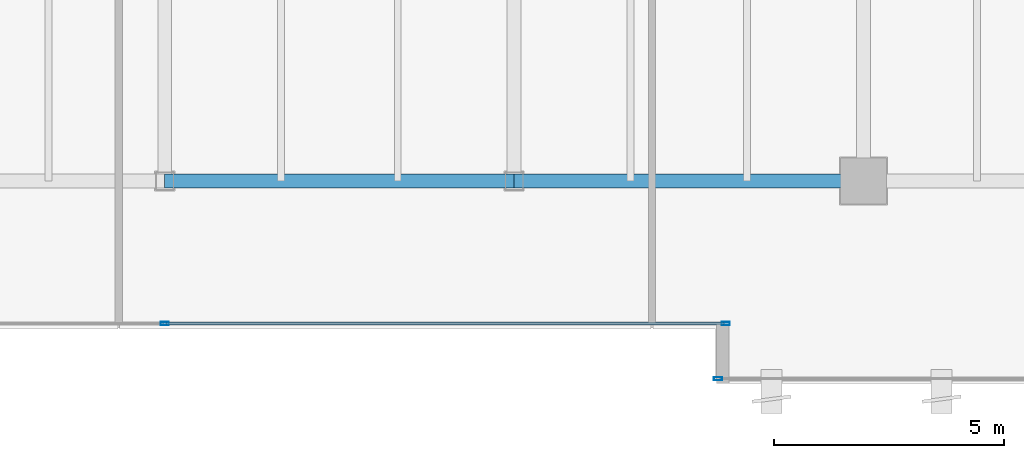
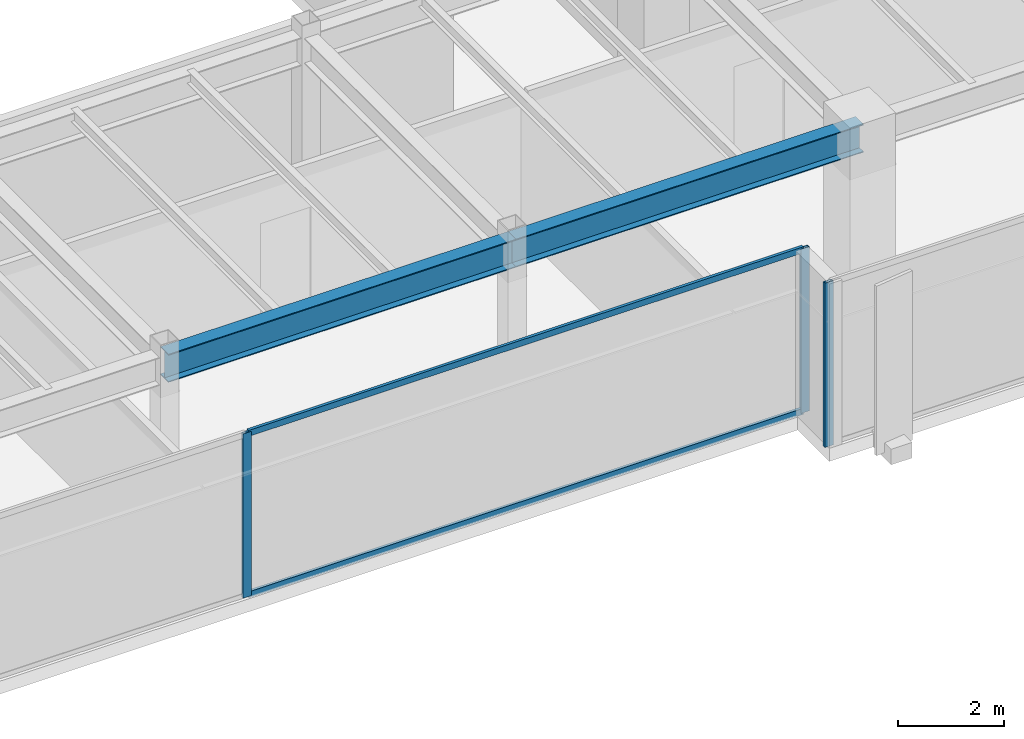
# One storey, part 11 of 36: 5 members, 2 beams, 2 elements without a shape of their own.
"""IFC4 building model written with IfcOpenShell, lengths in metres."""

from ifc_helpers import new_model, si_unit, direction, frame, origin, origin_2d, place, context, subcontext, project, spatial, hollow_rectangle, i_section, extrude, source, transform, mapped, material, layer, layer_set, material_profile, profile_set, type_object, type_shapes, element, aggregate, save


model = new_model("IFC4")

# Units and contexts
model_context = context("Model", 3, precision=1e-05, world=origin(), true_north=direction((0.0, 1.0)))
body_context = subcontext(model_context, "Body", "Model", "MODEL_VIEW")
ifc_project = project(units=[si_unit("LENGTHUNIT", "METRE"), si_unit("AREAUNIT", "SQUARE_METRE"), si_unit("VOLUMEUNIT", "CUBIC_METRE"), si_unit("PLANEANGLEUNIT", "RADIAN"), si_unit("MASSUNIT", "GRAM", prefix="KILO")], contexts=[model_context])

# Site, building, storey
site_placement = place(None, origin())
site = spatial("IfcSite", under=ifc_project, at=site_placement, CompositionType="ELEMENT")
building_placement = place(site_placement, origin())
building = spatial("IfcBuilding", under=site, at=building_placement, Name="Haelvirn Gate Laboratories", CompositionType="ELEMENT")
storey_placement = place(building_placement, frame((0.0, 0.0, 242.39990234375)))
storey = spatial("IfcBuildingStorey", under=building, at=storey_placement, Name="L58", CompositionType="ELEMENT", Elevation=242.39990234375)

# Beams
ifc_material_1 = material(Name="Steel SM355", Category="steel")
ifc_material_profile_1 = material_profile(ifc_material_1, i_section(OverallWidth=0.300048828125, OverallDepth=0.64990234375, WebThickness=0.012939453125, FlangeThickness=0.02197265625, at=origin_2d()), Name="H-650x300x13x22")
ifc_profile_set_1 = profile_set([ifc_material_profile_1], Name="Steel SM355")
beam_type = type_object("IfcBeamType", Name="BM-G-650", PredefinedType="BEAM", material=ifc_profile_set_1)
shared_shape_1 = source(origin(), body_context, "Body", "SweptSolid", [
    extrude(i_section(OverallWidth=0.300048828125, OverallDepth=0.64990234375, WebThickness=0.012939453125, FlangeThickness=0.02197265625, at=origin_2d()), origin(), (0.0, 0.0, 1.0), 7.60009765625),
])
type_shapes(beam_type, [shared_shape_1])
for number, where, z_axis, x_axis, name in (
    (1, (37.39990234375, 7.0, 3.47509765625), (1.0, 0.0, 0.0), (0.0, 1.0, 0.0), "L58 Primary Girder Y7.0 (37.4-45.0)"),
    (2, (45.0, 7.0, 3.47509765625), (1.0, 0.0, 0.0), (0.0, 1.0, 0.0), "L58 Primary Girder Y7.0 (45.0-52.6)"),
):
    element("IfcBeam", number, at=place(storey_placement, frame(where, z_axis=z_axis, x_axis=x_axis)), inside=storey, type_object=beam_type, Name=name, PredefinedType="BEAM", context=body_context, shape_type="MappedRepresentation", body=[
        mapped(shared_shape_1, transform((0.0, 0.0, 0.0), scale=1.0)),
    ])

# Curtain wall, members
ifc_material_2 = material(Name="Anodised bronze unitised aluminium & triple low-E glass", Category="aluminium")
ifc_layer = layer(ifc_material_2, 0.176025390625, Name="CW-SYS-4")
ifc_layer_set = layer_set([ifc_layer], Name="Anodised bronze unitised aluminium & triple low-E glass")
curtain_wall_type = type_object("IfcCurtainWallType", Name="CW-SYS-4", PredefinedType="NOTDEFINED", material=ifc_layer_set)
curtain_wall_1_placement = place(storey_placement, origin())
curtain_wall_1 = element("IfcCurtainWall", 3, at=curtain_wall_1_placement, inside=storey, type_object=curtain_wall_type, Name="L58 Unitised Curtain Wall CW-L58-P0-E02-1", PredefinedType="NOTDEFINED")
ifc_material_3 = material(Name="Extruded aluminium 6063-T6 (anodised bronze)", Category="aluminium")
ifc_material_profile_2 = material_profile(ifc_material_3, hollow_rectangle(XDim=0.06494140625, YDim=0.139892578125, WallThickness=0.00390625, at=origin_2d()), Name="CWT-140x65x4")
ifc_profile_set_2 = profile_set([ifc_material_profile_2], Name="Extruded aluminium 6063-T6 (anodised bronze)")
member_type_1 = type_object("IfcMemberType", Name="CWT-T140", PredefinedType="USERDEFINED", material=ifc_profile_set_2)
shared_shape_2 = source(origin(), body_context, "Body", "SweptSolid", [
    extrude(hollow_rectangle(XDim=0.06494140625, YDim=0.139892578125, WallThickness=0.00390625, at=origin_2d()), origin(), (0.0, 0.0, 1.0), 12.135009765625),
])
type_shapes(member_type_1, [shared_shape_2])
member_1_placement = place(storey_placement, frame((37.43505859375, 3.89990234375, 0.03271484375), z_axis=(1.0, 0.0, 0.0), x_axis=(0.0, 1.0, 0.0)))
member_1 = element("IfcMember", 4, at=member_1_placement, type_object=member_type_1, Name="CW4 transom 2.1", ObjectType="TRANSOM", PredefinedType="USERDEFINED", context=body_context, shape_type="MappedRepresentation", body=[
    mapped(shared_shape_2, transform((0.0, 0.0, 0.0), scale=1.0)),
])
member_2_placement = place(storey_placement, frame((37.43505859375, 3.89990234375, 3.767578125), z_axis=(1.0, 0.0, 0.0), x_axis=(0.0, 1.0, 0.0)))
member_2 = element("IfcMember", 5, at=member_2_placement, type_object=member_type_1, Name="CW4 transom 2.2", ObjectType="TRANSOM", PredefinedType="USERDEFINED", context=body_context, shape_type="MappedRepresentation", body=[
    mapped(shared_shape_2, transform((0.0, 0.0, 0.0), scale=1.0)),
])
ifc_material_profile_3 = material_profile(ifc_material_3, hollow_rectangle(XDim=0.070068359375, YDim=0.179931640625, WallThickness=0.0048828125, at=origin_2d()), Name="CWM-180x70x5")
ifc_profile_set_3 = profile_set([ifc_material_profile_3], Name="Extruded aluminium 6063-T6 (anodised bronze)")
member_type_2 = type_object("IfcMemberType", Name="CWM-T180", PredefinedType="MULLION", material=ifc_profile_set_3)
shared_shape_3 = source(origin(), body_context, "Body", "SweptSolid", [
    extrude(hollow_rectangle(XDim=0.070068359375, YDim=0.179931640625, WallThickness=0.0048828125, at=origin_2d()), origin(), (0.0, 0.0, 1.0), 3.800048828125),
])
type_shapes(member_type_2, [shared_shape_3])
member_3_placement = place(storey_placement, frame((37.39990234375, 3.89990234375, 0.0), z_axis=(0.0, 0.0, 1.0), x_axis=(0.0, 1.0, 0.0)))
member_3 = element("IfcMember", 6, at=member_3_placement, type_object=member_type_2, Name="CW4 mullion 2", PredefinedType="MULLION", context=body_context, shape_type="MappedRepresentation", body=[
    mapped(shared_shape_3, transform((0.0, 0.0, 0.0), scale=1.0)),
])
member_4_placement = place(storey_placement, frame((49.60498046875, 3.89990234375, 0.0), z_axis=(0.0, 0.0, 1.0), x_axis=(0.0, 1.0, 0.0)))
member_4 = element("IfcMember", 7, at=member_4_placement, type_object=member_type_2, Name="CW4 mullion 3", PredefinedType="MULLION", context=body_context, shape_type="MappedRepresentation", body=[
    mapped(shared_shape_3, transform((0.0, 0.0, 0.0), scale=1.0)),
])
aggregate(curtain_wall_1, [member_3, member_4, member_1, member_2])

# Curtain wall, member
curtain_wall_2_placement = place(storey_placement, origin())
curtain_wall_2 = element("IfcCurtainWall", 8, at=curtain_wall_2_placement, inside=storey, type_object=curtain_wall_type, Name="L58 Unitised Curtain Wall CW-L58-P0-E04-1", PredefinedType="NOTDEFINED")
member_5_placement = place(storey_placement, frame((49.43505859375, 2.699951171875, 0.0), z_axis=(0.0, 0.0, 1.0), x_axis=(0.0, 1.0, 0.0)))
member_5 = element("IfcMember", 9, at=member_5_placement, type_object=member_type_2, Name="CW4 mullion 1", PredefinedType="MULLION", context=body_context, shape_type="MappedRepresentation", body=[
    mapped(shared_shape_3, transform((0.0, 0.0, 0.0), scale=1.0)),
])
aggregate(curtain_wall_2, [member_5])

save(model, "model.ifc")
